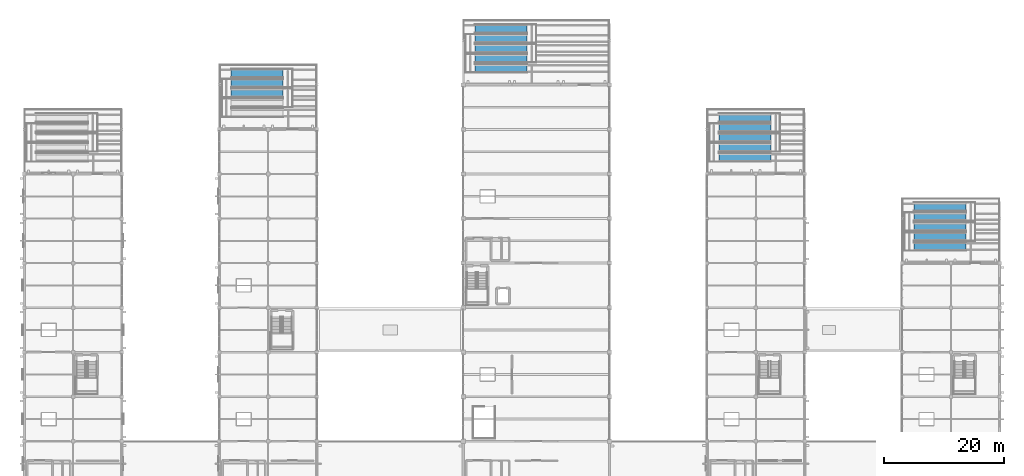
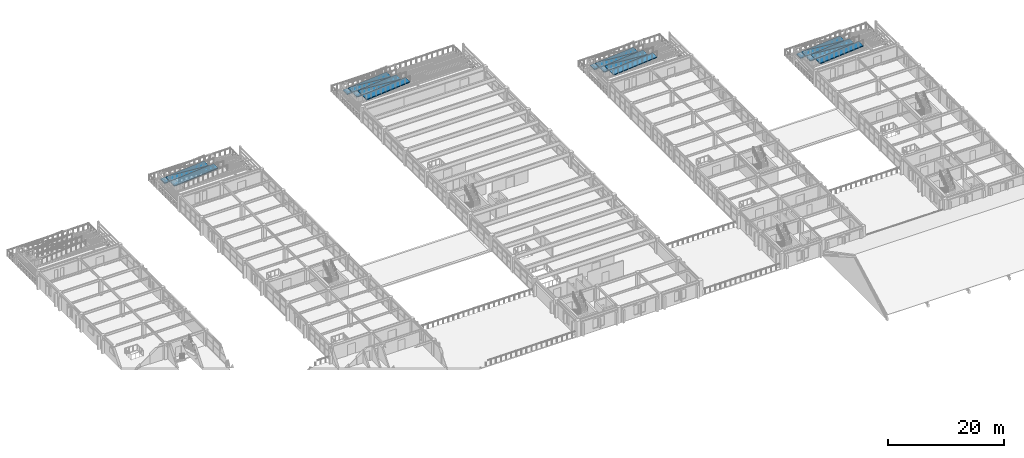
# One storey, part 110 of 121: 18 ramp flights, 4 elements without a shape of their own.
"""IFC4 building model written with IfcOpenShell, lengths in metres."""

from ifc_helpers import new_model, si_unit, direction, frame, origin, place, context, subcontext, project, spatial, polyline, outline, extrude, material, layer, layer_set, type_object, element, aggregate, save


model = new_model("IFC4")

# Units and contexts
model_context = context("Model", 3, precision=1e-05, world=origin(), true_north=direction((0.0, 1.0)))
body_context = subcontext(model_context, "Body", "Model", "MODEL_VIEW")
ifc_project = project(units=[si_unit("LENGTHUNIT", "METRE"), si_unit("AREAUNIT", "SQUARE_METRE"), si_unit("VOLUMEUNIT", "CUBIC_METRE"), si_unit("PLANEANGLEUNIT", "RADIAN"), si_unit("MASSUNIT", "GRAM", prefix="KILO")], contexts=[model_context])

# Site, building, storey
site_placement = place(None, origin())
site = spatial("IfcSite", under=ifc_project, at=site_placement, CompositionType="ELEMENT")
building_placement = place(site_placement, origin())
building = spatial("IfcBuilding", under=site, at=building_placement, Name="Cimatlan Art Gallery", CompositionType="ELEMENT")
storey_placement = place(building_placement, frame((0.0, 0.0, 10.199951171875)))
storey = spatial("IfcBuildingStorey", under=building, at=storey_placement, Name="L02", CompositionType="ELEMENT", Elevation=10.199951171875)

# Ramp, ramp flights
ifc_material = material(Name="Concrete C35/45", Category="concrete")
ramp_type = type_object("IfcRampType", Name="RMP-TER-1500", PredefinedType="TWO_STRAIGHT_RUN_RAMP", material=ifc_material)
ramp_1_placement = place(storey_placement, origin())
ramp_1 = element("IfcRamp", 1, at=ramp_1_placement, inside=storey, type_object=ramp_type, Name="RMP-TER-B2", PredefinedType="TWO_STRAIGHT_RUN_RAMP")
ifc_layer = layer(ifc_material, 0.199951171875)
ifc_layer_set = layer_set([ifc_layer], Name="Concrete C35/45")
ramp_flight_type = type_object("IfcRampFlightType", Name="RMF-TER-8640", PredefinedType="STRAIGHT", material=ifc_layer_set)
ramp_flight_1_placement = place(storey_placement, frame((36.35009765625, 99.85009765625, 0.0), z_axis=(0.0, 0.0, 1.0), x_axis=(1.0, 0.0, 0.0)))
ramp_flight_1 = element("IfcRampFlight", 2, at=ramp_flight_1_placement, type_object=ramp_flight_type, Name="RMP-TER-B2-FL1", PredefinedType="STRAIGHT", context=body_context, shape_type="SweptSolid", body=[
    extrude(outline(polyline([(0.0, 0.0), (8.639892578125, 0.719970703125), (8.639892578125, 0.52001953125), (0.0, -0.199951171875), (0.0, 0.0)])), frame((0.0, 0.75, 0.0), z_axis=(0.0, -1.0, 0.0), x_axis=(1.0, 0.0, 0.0)), (0.0, 0.0, 1.0), 1.5),
])
ramp_flight_2_placement = place(storey_placement, frame((44.989990234375, 98.199951171875, 0.719970703125), z_axis=(0.0, 0.0, 1.0), x_axis=(-1.0, 0.0, 0.0)))
ramp_flight_2 = element("IfcRampFlight", 3, at=ramp_flight_2_placement, type_object=ramp_flight_type, Name="RMP-TER-B2-FL2", PredefinedType="STRAIGHT", context=body_context, shape_type="SweptSolid", body=[
    extrude(outline(polyline([(0.0, 0.0), (8.639892578125, 0.719970703125), (8.639892578125, 0.52001953125), (0.0, -0.199951171875), (0.0, 0.0)])), frame((0.0, 0.75, 0.0), z_axis=(0.0, -1.0, 0.0), x_axis=(1.0, 0.0, 0.0)), (0.0, 0.0, 1.0), 1.5),
])
ramp_flight_3_placement = place(storey_placement, frame((36.35009765625, 96.550048828125, 1.43994140625), z_axis=(0.0, 0.0, 1.0), x_axis=(1.0, 0.0, 0.0)))
ramp_flight_3 = element("IfcRampFlight", 4, at=ramp_flight_3_placement, type_object=ramp_flight_type, Name="RMP-TER-B2-FL3", PredefinedType="STRAIGHT", context=body_context, shape_type="SweptSolid", body=[
    extrude(outline(polyline([(0.0, 0.0), (8.639892578125, 0.719970703125), (8.639892578125, 0.52001953125), (0.0, -0.199951171875), (0.0, 0.0)])), frame((0.0, 0.75, 0.0), z_axis=(0.0, -1.0, 0.0), x_axis=(1.0, 0.0, 0.0)), (0.0, 0.0, 1.0), 1.5),
])
aggregate(ramp_1, [ramp_flight_1, ramp_flight_2, ramp_flight_3])

ramp_2_placement = place(storey_placement, origin())
ramp_2 = element("IfcRamp", 5, at=ramp_2_placement, inside=storey, type_object=ramp_type, Name="RMP-TER-B3", PredefinedType="TWO_STRAIGHT_RUN_RAMP")
ramp_flight_4_placement = place(storey_placement, frame((76.85009765625, 107.25, 0.0), z_axis=(0.0, 0.0, 1.0), x_axis=(1.0, 0.0, 0.0)))
ramp_flight_4 = element("IfcRampFlight", 6, at=ramp_flight_4_placement, type_object=ramp_flight_type, Name="RMP-TER-B3-FL1", PredefinedType="STRAIGHT", context=body_context, shape_type="SweptSolid", body=[
    extrude(outline(polyline([(0.0, 0.0), (8.639892578125, 0.719970703125), (8.639892578125, 0.52001953125), (0.0, -0.199951171875), (0.0, 0.0)])), frame((0.0, 0.75, 0.0), z_axis=(0.0, -1.0, 0.0), x_axis=(1.0, 0.0, 0.0)), (0.0, 0.0, 1.0), 1.5),
])
ramp_flight_5_placement = place(storey_placement, frame((85.489990234375, 105.60009765625, 0.719970703125), z_axis=(0.0, 0.0, 1.0), x_axis=(-1.0, 0.0, 0.0)))
ramp_flight_5 = element("IfcRampFlight", 7, at=ramp_flight_5_placement, type_object=ramp_flight_type, Name="RMP-TER-B3-FL2", PredefinedType="STRAIGHT", context=body_context, shape_type="SweptSolid", body=[
    extrude(outline(polyline([(0.0, 0.0), (8.639892578125, 0.719970703125), (8.639892578125, 0.52001953125), (0.0, -0.199951171875), (0.0, 0.0)])), frame((0.0, 0.75, 0.0), z_axis=(0.0, -1.0, 0.0), x_axis=(1.0, 0.0, 0.0)), (0.0, 0.0, 1.0), 1.5),
])
ramp_flight_6_placement = place(storey_placement, frame((76.85009765625, 103.949951171875, 1.43994140625), z_axis=(0.0, 0.0, 1.0), x_axis=(1.0, 0.0, 0.0)))
ramp_flight_6 = element("IfcRampFlight", 8, at=ramp_flight_6_placement, type_object=ramp_flight_type, Name="RMP-TER-B3-FL3", PredefinedType="STRAIGHT", context=body_context, shape_type="SweptSolid", body=[
    extrude(outline(polyline([(0.0, 0.0), (8.639892578125, 0.719970703125), (8.639892578125, 0.52001953125), (0.0, -0.199951171875), (0.0, 0.0)])), frame((0.0, 0.75, 0.0), z_axis=(0.0, -1.0, 0.0), x_axis=(1.0, 0.0, 0.0)), (0.0, 0.0, 1.0), 1.5),
])
ramp_flight_7_placement = place(storey_placement, frame((85.489990234375, 102.300048828125, 2.16015625), z_axis=(0.0, 0.0, 1.0), x_axis=(-1.0, 0.0, 0.0)))
ramp_flight_7 = element("IfcRampFlight", 9, at=ramp_flight_7_placement, type_object=ramp_flight_type, Name="RMP-TER-B3-FL4", PredefinedType="STRAIGHT", context=body_context, shape_type="SweptSolid", body=[
    extrude(outline(polyline([(0.0, 0.0), (8.639892578125, 0.719970703125), (8.639892578125, 0.52001953125), (0.0, -0.199951171875), (0.0, 0.0)])), frame((0.0, 0.75, 0.0), z_axis=(0.0, -1.0, 0.0), x_axis=(1.0, 0.0, 0.0)), (0.0, 0.0, 1.0), 1.5),
])
ramp_flight_8_placement = place(storey_placement, frame((76.85009765625, 100.64990234375, 2.880126953125), z_axis=(0.0, 0.0, 1.0), x_axis=(1.0, 0.0, 0.0)))
ramp_flight_8 = element("IfcRampFlight", 10, at=ramp_flight_8_placement, type_object=ramp_flight_type, Name="RMP-TER-B3-FL5", PredefinedType="STRAIGHT", context=body_context, shape_type="SweptSolid", body=[
    extrude(outline(polyline([(0.0, 0.0), (8.639892578125, 0.719970703125), (8.639892578125, 0.52001953125), (0.0, -0.199951171875), (0.0, 0.0)])), frame((0.0, 0.75, 0.0), z_axis=(0.0, -1.0, 0.0), x_axis=(1.0, 0.0, 0.0)), (0.0, 0.0, 1.0), 1.5),
])
aggregate(ramp_2, [ramp_flight_4, ramp_flight_5, ramp_flight_6, ramp_flight_7, ramp_flight_8])

ramp_3_placement = place(storey_placement, origin())
ramp_3 = element("IfcRamp", 11, at=ramp_3_placement, inside=storey, type_object=ramp_type, Name="RMP-TER-B4", PredefinedType="TWO_STRAIGHT_RUN_RAMP")
ramp_flight_9_placement = place(storey_placement, frame((117.35009765625, 92.449951171875, 0.0), z_axis=(0.0, 0.0, 1.0), x_axis=(1.0, 0.0, 0.0)))
ramp_flight_9 = element("IfcRampFlight", 12, at=ramp_flight_9_placement, type_object=ramp_flight_type, Name="RMP-TER-B4-FL1", PredefinedType="STRAIGHT", context=body_context, shape_type="SweptSolid", body=[
    extrude(outline(polyline([(0.0, 0.0), (8.639892578125, 0.719970703125), (8.639892578125, 0.52001953125), (0.0, -0.199951171875), (0.0, 0.0)])), frame((0.0, 0.75, 0.0), z_axis=(0.0, -1.0, 0.0), x_axis=(1.0, 0.0, 0.0)), (0.0, 0.0, 1.0), 1.5),
])
ramp_flight_10_placement = place(storey_placement, frame((125.989990234375, 90.800048828125, 0.719970703125), z_axis=(0.0, 0.0, 1.0), x_axis=(-1.0, 0.0, 0.0)))
ramp_flight_10 = element("IfcRampFlight", 13, at=ramp_flight_10_placement, type_object=ramp_flight_type, Name="RMP-TER-B4-FL2", PredefinedType="STRAIGHT", context=body_context, shape_type="SweptSolid", body=[
    extrude(outline(polyline([(0.0, 0.0), (8.639892578125, 0.719970703125), (8.639892578125, 0.52001953125), (0.0, -0.199951171875), (0.0, 0.0)])), frame((0.0, 0.75, 0.0), z_axis=(0.0, -1.0, 0.0), x_axis=(1.0, 0.0, 0.0)), (0.0, 0.0, 1.0), 1.5),
])
ramp_flight_11_placement = place(storey_placement, frame((117.35009765625, 89.14990234375, 1.43994140625), z_axis=(0.0, 0.0, 1.0), x_axis=(1.0, 0.0, 0.0)))
ramp_flight_11 = element("IfcRampFlight", 14, at=ramp_flight_11_placement, type_object=ramp_flight_type, Name="RMP-TER-B4-FL3", PredefinedType="STRAIGHT", context=body_context, shape_type="SweptSolid", body=[
    extrude(outline(polyline([(0.0, 0.0), (8.639892578125, 0.719970703125), (8.639892578125, 0.52001953125), (0.0, -0.199951171875), (0.0, 0.0)])), frame((0.0, 0.75, 0.0), z_axis=(0.0, -1.0, 0.0), x_axis=(1.0, 0.0, 0.0)), (0.0, 0.0, 1.0), 1.5),
])
ramp_flight_12_placement = place(storey_placement, frame((125.989990234375, 87.5, 2.16015625), z_axis=(0.0, 0.0, 1.0), x_axis=(-1.0, 0.0, 0.0)))
ramp_flight_12 = element("IfcRampFlight", 15, at=ramp_flight_12_placement, type_object=ramp_flight_type, Name="RMP-TER-B4-FL4", PredefinedType="STRAIGHT", context=body_context, shape_type="SweptSolid", body=[
    extrude(outline(polyline([(0.0, 0.0), (8.639892578125, 0.719970703125), (8.639892578125, 0.52001953125), (0.0, -0.199951171875), (0.0, 0.0)])), frame((0.0, 0.75, 0.0), z_axis=(0.0, -1.0, 0.0), x_axis=(1.0, 0.0, 0.0)), (0.0, 0.0, 1.0), 1.5),
])
ramp_flight_13_placement = place(storey_placement, frame((117.35009765625, 85.85009765625, 2.880126953125), z_axis=(0.0, 0.0, 1.0), x_axis=(1.0, 0.0, 0.0)))
ramp_flight_13 = element("IfcRampFlight", 16, at=ramp_flight_13_placement, type_object=ramp_flight_type, Name="RMP-TER-B4-FL5", PredefinedType="STRAIGHT", context=body_context, shape_type="SweptSolid", body=[
    extrude(outline(polyline([(0.0, 0.0), (8.639892578125, 0.719970703125), (8.639892578125, 0.52001953125), (0.0, -0.199951171875), (0.0, 0.0)])), frame((0.0, 0.75, 0.0), z_axis=(0.0, -1.0, 0.0), x_axis=(1.0, 0.0, 0.0)), (0.0, 0.0, 1.0), 1.5),
])
aggregate(ramp_3, [ramp_flight_9, ramp_flight_10, ramp_flight_11, ramp_flight_12, ramp_flight_13])

ramp_4_placement = place(storey_placement, origin())
ramp_4 = element("IfcRamp", 17, at=ramp_4_placement, inside=storey, type_object=ramp_type, Name="RMP-TER-B5", PredefinedType="TWO_STRAIGHT_RUN_RAMP")
ramp_flight_14_placement = place(storey_placement, frame((149.75, 77.64990234375, 0.0), z_axis=(0.0, 0.0, 1.0), x_axis=(1.0, 0.0, 0.0)))
ramp_flight_14 = element("IfcRampFlight", 18, at=ramp_flight_14_placement, type_object=ramp_flight_type, Name="RMP-TER-B5-FL1", PredefinedType="STRAIGHT", context=body_context, shape_type="SweptSolid", body=[
    extrude(outline(polyline([(0.0, 0.0), (8.639892578125, 0.719970703125), (8.639892578125, 0.52001953125), (0.0, -0.199951171875), (0.0, 0.0)])), frame((0.0, 0.75, 0.0), z_axis=(0.0, -1.0, 0.0), x_axis=(1.0, 0.0, 0.0)), (0.0, 0.0, 1.0), 1.5),
])
ramp_flight_15_placement = place(storey_placement, frame((158.389892578125, 76.0, 0.719970703125), z_axis=(0.0, 0.0, 1.0), x_axis=(-1.0, 0.0, 0.0)))
ramp_flight_15 = element("IfcRampFlight", 19, at=ramp_flight_15_placement, type_object=ramp_flight_type, Name="RMP-TER-B5-FL2", PredefinedType="STRAIGHT", context=body_context, shape_type="SweptSolid", body=[
    extrude(outline(polyline([(0.0, 0.0), (8.639892578125, 0.719970703125), (8.639892578125, 0.52001953125), (0.0, -0.199951171875), (0.0, 0.0)])), frame((0.0, 0.75, 0.0), z_axis=(0.0, -1.0, 0.0), x_axis=(1.0, 0.0, 0.0)), (0.0, 0.0, 1.0), 1.5),
])
ramp_flight_16_placement = place(storey_placement, frame((149.75, 74.35009765625, 1.43994140625), z_axis=(0.0, 0.0, 1.0), x_axis=(1.0, 0.0, 0.0)))
ramp_flight_16 = element("IfcRampFlight", 20, at=ramp_flight_16_placement, type_object=ramp_flight_type, Name="RMP-TER-B5-FL3", PredefinedType="STRAIGHT", context=body_context, shape_type="SweptSolid", body=[
    extrude(outline(polyline([(0.0, 0.0), (8.639892578125, 0.719970703125), (8.639892578125, 0.52001953125), (0.0, -0.199951171875), (0.0, 0.0)])), frame((0.0, 0.75, 0.0), z_axis=(0.0, -1.0, 0.0), x_axis=(1.0, 0.0, 0.0)), (0.0, 0.0, 1.0), 1.5),
])
ramp_flight_17_placement = place(storey_placement, frame((158.389892578125, 72.699951171875, 2.16015625), z_axis=(0.0, 0.0, 1.0), x_axis=(-1.0, 0.0, 0.0)))
ramp_flight_17 = element("IfcRampFlight", 21, at=ramp_flight_17_placement, type_object=ramp_flight_type, Name="RMP-TER-B5-FL4", PredefinedType="STRAIGHT", context=body_context, shape_type="SweptSolid", body=[
    extrude(outline(polyline([(0.0, 0.0), (8.639892578125, 0.719970703125), (8.639892578125, 0.52001953125), (0.0, -0.199951171875), (0.0, 0.0)])), frame((0.0, 0.75, 0.0), z_axis=(0.0, -1.0, 0.0), x_axis=(1.0, 0.0, 0.0)), (0.0, 0.0, 1.0), 1.5),
])
ramp_flight_18_placement = place(storey_placement, frame((149.75, 71.050048828125, 2.880126953125), z_axis=(0.0, 0.0, 1.0), x_axis=(1.0, 0.0, 0.0)))
ramp_flight_18 = element("IfcRampFlight", 22, at=ramp_flight_18_placement, type_object=ramp_flight_type, Name="RMP-TER-B5-FL5", PredefinedType="STRAIGHT", context=body_context, shape_type="SweptSolid", body=[
    extrude(outline(polyline([(0.0, 0.0), (8.639892578125, 0.719970703125), (8.639892578125, 0.52001953125), (0.0, -0.199951171875), (0.0, 0.0)])), frame((0.0, 0.75, 0.0), z_axis=(0.0, -1.0, 0.0), x_axis=(1.0, 0.0, 0.0)), (0.0, 0.0, 1.0), 1.5),
])
aggregate(ramp_4, [ramp_flight_14, ramp_flight_15, ramp_flight_16, ramp_flight_17, ramp_flight_18])

save(model, "model.ifc")
